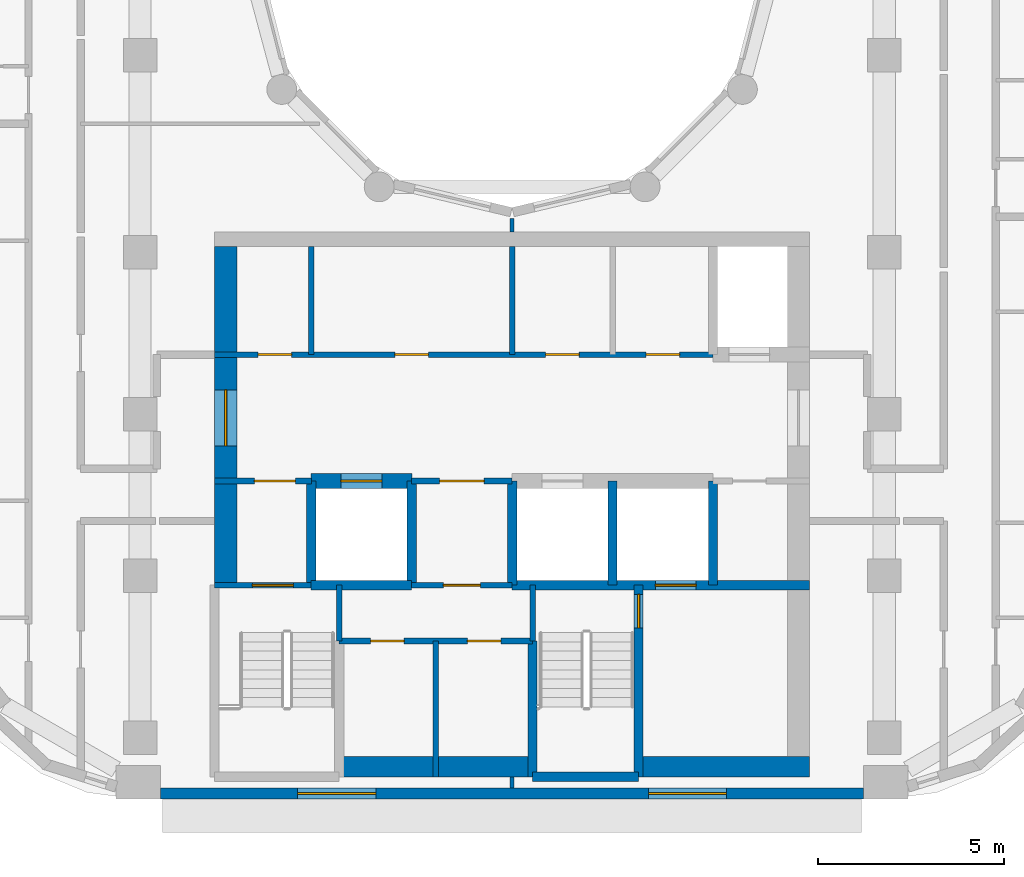
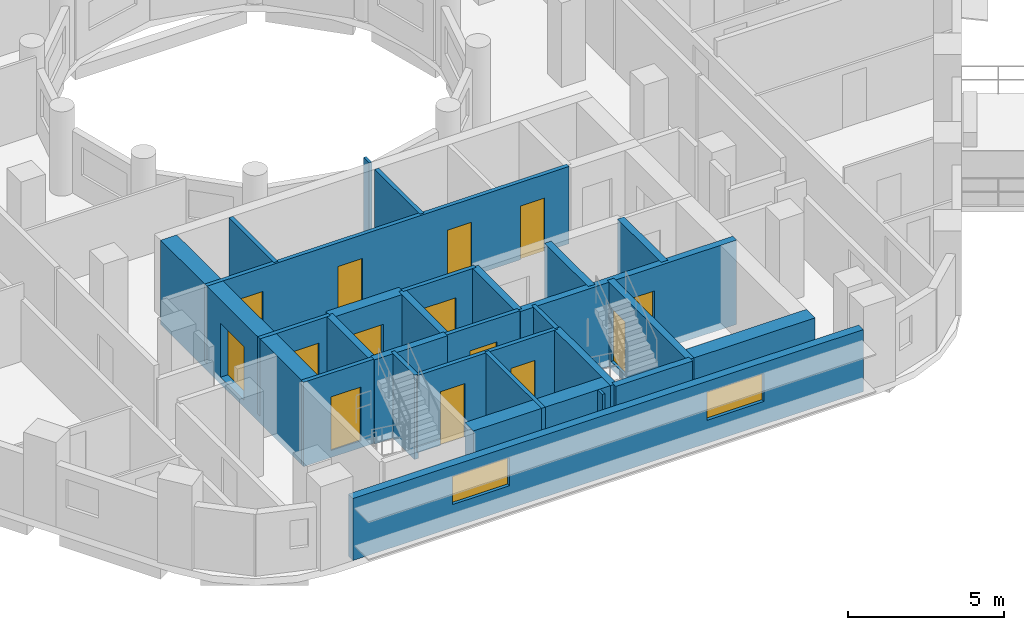
# One storey, part 3 of 16: 28 walls, 14 doors, 2 windows, 16 openings.
"""IFC4 building model written with IfcOpenShell, lengths in metres."""

from ifc_helpers import new_model, si_unit, direction, frame, frame_2d, origin, place, context, subcontext, project, spatial, rectangle, extrude, material, layer, layer_set, type_object, element, fill, save


model = new_model("IFC4")

# Units and contexts
model_context = context("Model", 3, precision=1e-05, world=origin(), true_north=direction((0.0, 1.0)))
body_context = subcontext(model_context, "Body", "Model", "MODEL_VIEW")
ifc_project = project(units=[si_unit("LENGTHUNIT", "METRE"), si_unit("AREAUNIT", "SQUARE_METRE"), si_unit("VOLUMEUNIT", "CUBIC_METRE"), si_unit("PLANEANGLEUNIT", "RADIAN"), si_unit("MASSUNIT", "GRAM", prefix="KILO")], contexts=[model_context])

# Site, building, storey
site_placement = place(None, origin())
site = spatial("IfcSite", under=ifc_project, at=site_placement, CompositionType="ELEMENT")
building_placement = place(site_placement, origin())
building = spatial("IfcBuilding", under=site, at=building_placement, Name="Nakaniwa Court", CompositionType="ELEMENT")
storey_placement = place(building_placement, frame((0.0, 0.0, 193.199951171875)))
storey = spatial("IfcBuildingStorey", under=building, at=storey_placement, Name="L50", CompositionType="ELEMENT", Elevation=193.199951171875)

# Wall, openings, windows
ifc_material_1 = material(Name="Charcoal ceramic cladding")
ifc_layer_1 = layer(ifc_material_1, 0.02, Name="Ceramic cladding")
ifc_material_2 = material(Name="Ventilated air cavity")
ifc_layer_2 = layer(ifc_material_2, 0.04, ventilated=True, Name="Ventilated cavity")
ifc_material_3 = material(Name="Mineral wool insulation")
ifc_layer_3 = layer(ifc_material_3, 0.1, Name="Insulation")
ifc_material_4 = material(Name="Cement bonded sheathing board")
ifc_layer_4 = layer(ifc_material_4, 0.012, Name="Sheathing")
ifc_material_5 = material(Name="Cold-formed galvanised stud frame with mineral wool infill")
ifc_layer_5 = layer(ifc_material_5, 0.1, Name="Stud frame")
ifc_material_6 = material(Name="Fire-rated gypsum plasterboard lining")
ifc_layer_6 = layer(ifc_material_6, 0.028, Name="Lining")
ifc_layer_set_1 = layer_set([ifc_layer_1, ifc_layer_2, ifc_layer_3, ifc_layer_4, ifc_layer_5, ifc_layer_6], Name="Charcoal ceramic faced external wall system")
wall_type_1 = type_object("IfcWallType", Name="Black ceramic faced external wall 300", PredefinedType="SOLIDWALL", material=ifc_layer_set_1)
wall_1_placement = place(storey_placement, frame((70.55078125, 57.5, 0.0), z_axis=(0.0, 0.0, 1.0), x_axis=(1.0, 0.0, 0.0)))
wall_1 = element("IfcWall", 1, at=wall_1_placement, inside=storey, type_object=wall_type_1, Name="L50 external wall 26", PredefinedType="SOLIDWALL", context=body_context, shape_type="SweptSolid", body=[
    extrude(rectangle(XDim=18.892822265625, YDim=0.300048828125, at=frame_2d((9.4462890625, 0.0))), origin(), (0.0, 0.0, 1.0), 2.425048828125),
])
opening_1_placement = place(wall_1_placement, frame((3.6865234375, 0.0, 0.89990234375)))
opening_1 = element("IfcOpeningElement", 2, at=opening_1_placement, cuts=wall_1, Name="Opening W7.26", PredefinedType="OPENING", context=body_context, shape_type="SweptSolid", body=[
    extrude(rectangle(XDim=2.10009765625, YDim=1.10009765625, at=frame_2d((1.050048828125, 0.550048828125))), frame((0.0, 0.159912109375, 0.0), z_axis=(0.0, -1.0, 0.0), x_axis=(1.0, 0.0, 0.0)), (0.0, 0.0, 1.0), 0.320068359375),
])
opening_2_placement = place(wall_1_placement, frame((13.10888671875, 0.0, 0.89990234375)))
opening_2 = element("IfcOpeningElement", 3, at=opening_2_placement, cuts=wall_1, Name="Opening W7.27", PredefinedType="OPENING", context=body_context, shape_type="SweptSolid", body=[
    extrude(rectangle(XDim=2.10009765625, YDim=1.10009765625, at=frame_2d((1.050048828125, 0.550048828125))), frame((0.0, 0.159912109375, 0.0), z_axis=(0.0, -1.0, 0.0), x_axis=(1.0, 0.0, 0.0)), (0.0, 0.0, 1.0), 0.320068359375),
])
ifc_material_7 = material(Name="Black anodised aluminium frame with dark low-E laminated double glazing", Category="aluminium")
window_type = type_object("IfcWindowType", Name="Dark glass window 2100x1100 sill 900", PartitioningType="SINGLE_PANEL", PredefinedType="WINDOW", material=ifc_material_7)
window_1_placement = place(opening_1_placement, origin())
window_1 = element("IfcWindow", 4, at=window_1_placement, inside=storey, type_object=window_type, Name="L50 habitable room window 26-0", OverallHeight=1.10009765625, OverallWidth=2.10009765625, PartitioningType="SINGLE_PANEL", PredefinedType="WINDOW", context=body_context, shape_type="SweptSolid", body=[
    extrude(rectangle(XDim=2.10009765625, YDim=1.10009765625, at=frame_2d((1.050048828125, 0.550048828125))), frame((0.0, 0.030029296875, 0.0), z_axis=(0.0, -1.0, 0.0), x_axis=(1.0, 0.0, 0.0)), (0.0, 0.0, 1.0), 0.06005859375),
])
fill(opening_1, window_1)
window_2_placement = place(opening_2_placement, origin())
window_2 = element("IfcWindow", 5, at=window_2_placement, inside=storey, type_object=window_type, Name="L50 habitable room window 26-1", OverallHeight=1.10009765625, OverallWidth=2.10009765625, PartitioningType="SINGLE_PANEL", PredefinedType="WINDOW", context=body_context, shape_type="SweptSolid", body=[
    extrude(rectangle(XDim=2.10009765625, YDim=1.10009765625, at=frame_2d((1.050048828125, 0.550048828125))), frame((0.0, 0.030029296875, 0.0), z_axis=(0.0, -1.0, 0.0), x_axis=(1.0, 0.0, 0.0)), (0.0, 0.0, 1.0), 0.06005859375),
])
fill(opening_2, window_2)

# Wall
ifc_material_8 = material(Name="Blockwork partition", Category="masonry")
ifc_layer_7 = layer(ifc_material_8, 0.14990234375)
ifc_layer_set_2 = layer_set([ifc_layer_7], Name="Blockwork partition")
wall_type_2 = type_object("IfcWallType", Name="Blockwork partition 150", PredefinedType="PARTITIONING", material=ifc_layer_set_2)
wall_2_placement = place(storey_placement, frame((74.60009765625, 69.300048828125, 0.0), z_axis=(0.0, 0.0, 1.0), x_axis=(0.0, 1.0, 0.0)))
element("IfcWall", 6, at=wall_2_placement, inside=storey, type_object=wall_type_2, Name="Partition PW-035", PredefinedType="PARTITIONING", context=body_context, shape_type="SweptSolid", body=[
    extrude(rectangle(XDim=2.89990234375, YDim=0.14990234375, at=frame_2d((1.449951171875, 0.0))), origin(), (0.0, 0.0, 1.0), 3.025146484375),
])

# Wall, openings, doors
wall_3_placement = place(storey_placement, frame((72.0, 69.300048828125, 0.0), z_axis=(0.0, 0.0, 1.0), x_axis=(1.0, 0.0, 0.0)))
wall_3 = element("IfcWall", 7, at=wall_3_placement, inside=storey, type_object=wall_type_2, Name="Partition PW-036", PredefinedType="PARTITIONING", context=body_context, shape_type="SweptSolid", body=[
    extrude(rectangle(XDim=13.39990234375, YDim=0.14990234375, at=frame_2d((6.699951171875, 0.0))), origin(), (0.0, 0.0, 1.0), 3.025146484375),
])
opening_3_placement = place(wall_3_placement, frame((1.175048828125, 0.0, 0.0)))
opening_3 = element("IfcOpeningElement", 8, at=opening_3_placement, cuts=wall_3, Name="Opening D-05-08", PredefinedType="OPENING", context=body_context, shape_type="SweptSolid", body=[
    extrude(rectangle(XDim=0.89990234375, YDim=2.10009765625, at=frame_2d((0.449951171875, 1.050048828125))), frame((0.0, 0.0849609375, 0.0), z_axis=(0.0, -1.0, 0.0), x_axis=(1.0, 0.0, 0.0)), (0.0, 0.0, 1.0), 0.169921875),
])
opening_4_placement = place(wall_3_placement, frame((4.85009765625, 0.0, 0.0)))
opening_4 = element("IfcOpeningElement", 9, at=opening_4_placement, cuts=wall_3, Name="Opening D-05-09", PredefinedType="OPENING", context=body_context, shape_type="SweptSolid", body=[
    extrude(rectangle(XDim=0.89990234375, YDim=2.10009765625, at=frame_2d((0.449951171875, 1.050048828125))), frame((0.0, 0.0849609375, 0.0), z_axis=(0.0, -1.0, 0.0), x_axis=(1.0, 0.0, 0.0)), (0.0, 0.0, 1.0), 0.169921875),
])
opening_5_placement = place(wall_3_placement, frame((8.89990234375, 0.0, 0.0)))
opening_5 = element("IfcOpeningElement", 10, at=opening_5_placement, cuts=wall_3, Name="Opening D-05-10", PredefinedType="OPENING", context=body_context, shape_type="SweptSolid", body=[
    extrude(rectangle(XDim=0.89990234375, YDim=2.10009765625, at=frame_2d((0.449951171875, 1.050048828125))), frame((0.0, 0.0849609375, 0.0), z_axis=(0.0, -1.0, 0.0), x_axis=(1.0, 0.0, 0.0)), (0.0, 0.0, 1.0), 0.169921875),
])
opening_6_placement = place(wall_3_placement, frame((11.60009765625, 0.0, 0.0)))
opening_6 = element("IfcOpeningElement", 11, at=opening_6_placement, cuts=wall_3, Name="Opening D-05-11", PredefinedType="OPENING", context=body_context, shape_type="SweptSolid", body=[
    extrude(rectangle(XDim=0.89990234375, YDim=2.10009765625, at=frame_2d((0.449951171875, 1.050048828125))), frame((0.0, 0.0849609375, 0.0), z_axis=(0.0, -1.0, 0.0), x_axis=(1.0, 0.0, 0.0)), (0.0, 0.0, 1.0), 0.169921875),
])
ifc_material_9 = material(Name="Fire rated steel door set", Category="steel")
door_type_1 = type_object("IfcDoorType", Name="Service room door 900", OperationType="NOTDEFINED", PredefinedType="DOOR", material=ifc_material_9)
door_1_placement = place(opening_3_placement, origin())
door_1 = element("IfcDoor", 12, at=door_1_placement, inside=storey, type_object=door_type_1, Name="Door D-05-08 L50-013", OperationType="SINGLE_SWING_RIGHT", OverallHeight=2.10009765625, OverallWidth=0.89990234375, PredefinedType="DOOR", context=body_context, shape_type="SweptSolid", body=[
    extrude(rectangle(XDim=0.89990234375, YDim=2.10009765625, at=frame_2d((0.449951171875, 1.050048828125))), frame((0.0, 0.02490234375, 0.0), z_axis=(0.0, -1.0, 0.0), x_axis=(1.0, 0.0, 0.0)), (0.0, 0.0, 1.0), 0.050048828125),
])
fill(opening_3, door_1)
door_2_placement = place(opening_4_placement, origin())
door_2 = element("IfcDoor", 13, at=door_2_placement, inside=storey, type_object=door_type_1, Name="Door D-05-09 L50-014", OperationType="SINGLE_SWING_LEFT", OverallHeight=2.10009765625, OverallWidth=0.89990234375, PredefinedType="DOOR", context=body_context, shape_type="SweptSolid", body=[
    extrude(rectangle(XDim=0.89990234375, YDim=2.10009765625, at=frame_2d((0.449951171875, 1.050048828125))), frame((0.0, 0.02490234375, 0.0), z_axis=(0.0, -1.0, 0.0), x_axis=(1.0, 0.0, 0.0)), (0.0, 0.0, 1.0), 0.050048828125),
])
fill(opening_4, door_2)
door_3_placement = place(opening_5_placement, origin())
door_3 = element("IfcDoor", 14, at=door_3_placement, inside=storey, type_object=door_type_1, Name="Door D-05-10 L50-015", OperationType="SINGLE_SWING_RIGHT", OverallHeight=2.10009765625, OverallWidth=0.89990234375, PredefinedType="DOOR", context=body_context, shape_type="SweptSolid", body=[
    extrude(rectangle(XDim=0.89990234375, YDim=2.10009765625, at=frame_2d((0.449951171875, 1.050048828125))), frame((0.0, 0.02490234375, 0.0), z_axis=(0.0, -1.0, 0.0), x_axis=(1.0, 0.0, 0.0)), (0.0, 0.0, 1.0), 0.050048828125),
])
fill(opening_5, door_3)
door_4_placement = place(opening_6_placement, origin())
door_4 = element("IfcDoor", 15, at=door_4_placement, inside=storey, type_object=door_type_1, Name="Door D-05-11 L50-016", OperationType="SINGLE_SWING_LEFT", OverallHeight=2.10009765625, OverallWidth=0.89990234375, PredefinedType="DOOR", context=body_context, shape_type="SweptSolid", body=[
    extrude(rectangle(XDim=0.89990234375, YDim=2.10009765625, at=frame_2d((0.449951171875, 1.050048828125))), frame((0.0, 0.02490234375, 0.0), z_axis=(0.0, -1.0, 0.0), x_axis=(1.0, 0.0, 0.0)), (0.0, 0.0, 1.0), 0.050048828125),
])
fill(opening_6, door_4)

# Wall
wall_4_placement = place(storey_placement, frame((80.0, 69.300048828125, 0.0), z_axis=(0.0, 0.0, 1.0), x_axis=(0.0, 1.0, 0.0)))
element("IfcWall", 16, at=wall_4_placement, inside=storey, type_object=wall_type_2, Name="Partition PW-042", PredefinedType="PARTITIONING", context=body_context, shape_type="SweptSolid", body=[
    extrude(rectangle(XDim=2.89990234375, YDim=0.14990234375, at=frame_2d((1.449951171875, 0.0))), origin(), (0.0, 0.0, 1.0), 3.025146484375),
])

# Wall, opening, door
wall_5_placement = place(storey_placement, frame((74.60302734375, 65.89990234375, 0.0), z_axis=(0.0, 0.0, 1.0), x_axis=(-1.0, 0.0, 0.0)))
wall_5 = element("IfcWall", 17, at=wall_5_placement, inside=storey, type_object=wall_type_2, Name="Partition PW-044", PredefinedType="PARTITIONING", context=body_context, shape_type="SweptSolid", body=[
    extrude(rectangle(XDim=2.60302734375, YDim=0.14990234375, at=frame_2d((1.301513671875, 0.0))), origin(), (0.0, 0.0, 1.0), 3.025146484375),
])
opening_7_placement = place(wall_5_placement, frame((0.427978515625, 0.0, 0.0)))
opening_7 = element("IfcOpeningElement", 18, at=opening_7_placement, cuts=wall_5, Name="Opening D-08-02", PredefinedType="OPENING", context=body_context, shape_type="SweptSolid", body=[
    extrude(rectangle(XDim=1.10009765625, YDim=2.10009765625, at=frame_2d((0.550048828125, 1.050048828125))), frame((0.0, 0.0849609375, 0.0), z_axis=(0.0, -1.0, 0.0), x_axis=(1.0, 0.0, 0.0)), (0.0, 0.0, 1.0), 0.169921875),
])
door_type_2 = type_object("IfcDoorType", Name="Stair lobby door 1100", OperationType="NOTDEFINED", PredefinedType="DOOR", material=ifc_material_9)
door_5_placement = place(opening_7_placement, origin())
door_5 = element("IfcDoor", 19, at=door_5_placement, inside=storey, type_object=door_type_2, Name="Door D-08-02 L50-017", OperationType="SINGLE_SWING_RIGHT", OverallHeight=2.10009765625, OverallWidth=1.10009765625, PredefinedType="DOOR", context=body_context, shape_type="SweptSolid", body=[
    extrude(rectangle(XDim=1.10009765625, YDim=2.10009765625, at=frame_2d((0.550048828125, 1.050048828125))), frame((0.0, 0.02490234375, 0.0), z_axis=(0.0, -1.0, 0.0), x_axis=(1.0, 0.0, 0.0)), (0.0, 0.0, 1.0), 0.050048828125),
])
fill(opening_7, door_5)

wall_6_placement = place(storey_placement, frame((80.0029296875, 65.89990234375, 0.0), z_axis=(0.0, 0.0, 1.0), x_axis=(-1.0, 0.0, 0.0)))
wall_6 = element("IfcWall", 20, at=wall_6_placement, inside=storey, type_object=wall_type_2, Name="Partition PW-045", PredefinedType="PARTITIONING", context=body_context, shape_type="SweptSolid", body=[
    extrude(rectangle(XDim=2.705810546875, YDim=0.14990234375, at=frame_2d((1.35302734375, 0.0))), origin(), (0.0, 0.0, 1.0), 3.025146484375),
])
opening_8_placement = place(wall_6_placement, frame((0.7529296875, 0.0, 0.0)))
opening_8 = element("IfcOpeningElement", 21, at=opening_8_placement, cuts=wall_6, Name="Opening D-06-02", PredefinedType="OPENING", context=body_context, shape_type="SweptSolid", body=[
    extrude(rectangle(XDim=1.199951171875, YDim=2.10009765625, at=frame_2d((0.60009765625, 1.050048828125))), frame((0.0, 0.0849609375, 0.0), z_axis=(0.0, -1.0, 0.0), x_axis=(1.0, 0.0, 0.0)), (0.0, 0.0, 1.0), 0.169921875),
])
ifc_material_10 = material(Name="Fire rated steel double door set", Category="steel")
door_type_3 = type_object("IfcDoorType", Name="Service passage double door 1200", OperationType="NOTDEFINED", PredefinedType="DOOR", material=ifc_material_10)
door_6_placement = place(opening_8_placement, origin())
door_6 = element("IfcDoor", 22, at=door_6_placement, inside=storey, type_object=door_type_3, Name="Door D-06-02 L50-018", OperationType="DOUBLE_DOOR_SINGLE_SWING", OverallHeight=2.10009765625, OverallWidth=1.199951171875, PredefinedType="DOOR", context=body_context, shape_type="SweptSolid", body=[
    extrude(rectangle(XDim=1.199951171875, YDim=2.10009765625, at=frame_2d((0.60009765625, 1.050048828125))), frame((0.0, 0.02490234375, 0.0), z_axis=(0.0, -1.0, 0.0), x_axis=(1.0, 0.0, 0.0)), (0.0, 0.0, 1.0), 0.050048828125),
])
fill(opening_8, door_6)

wall_7_placement = place(storey_placement, frame((80.0, 63.10009765625, 0.0), z_axis=(0.0, 0.0, 1.0), x_axis=(-1.0, 0.0, 0.0)))
wall_7 = element("IfcWall", 23, at=wall_7_placement, inside=storey, type_object=wall_type_2, Name="Partition PW-055", PredefinedType="PARTITIONING", context=body_context, shape_type="SweptSolid", body=[
    extrude(rectangle(XDim=2.699951171875, YDim=0.14990234375, at=frame_2d((1.35009765625, 0.0))), origin(), (0.0, 0.0, 1.0), 3.025146484375),
])
opening_9_placement = place(wall_7_placement, frame((0.85009765625, 0.0, 0.0)))
opening_9 = element("IfcOpeningElement", 24, at=opening_9_placement, cuts=wall_7, Name="Opening D-23-02", PredefinedType="OPENING", context=body_context, shape_type="SweptSolid", body=[
    extrude(rectangle(XDim=1.0, YDim=2.10009765625, at=frame_2d((0.5, 1.050048828125))), frame((0.0, 0.0849609375, 0.0), z_axis=(0.0, -1.0, 0.0), x_axis=(1.0, 0.0, 0.0)), (0.0, 0.0, 1.0), 0.169921875),
])
door_type_4 = type_object("IfcDoorType", Name="Service room door 1000", OperationType="NOTDEFINED", PredefinedType="DOOR", material=ifc_material_9)
door_7_placement = place(opening_9_placement, origin())
door_7 = element("IfcDoor", 25, at=door_7_placement, inside=storey, type_object=door_type_4, Name="Door D-23-02 L50-020", OperationType="SINGLE_SWING_LEFT", OverallHeight=2.10009765625, OverallWidth=1.0, PredefinedType="DOOR", context=body_context, shape_type="SweptSolid", body=[
    extrude(rectangle(XDim=1.0, YDim=2.10009765625, at=frame_2d((0.5, 1.050048828125))), frame((0.0, 0.02490234375, 0.0), z_axis=(0.0, -1.0, 0.0), x_axis=(1.0, 0.0, 0.0)), (0.0, 0.0, 1.0), 0.050048828125),
])
fill(opening_9, door_7)

# Wall, openings, doors
wall_8_placement = place(storey_placement, frame((80.550048828125, 61.60009765625, 0.0), z_axis=(0.0, 0.0, 1.0), x_axis=(-1.0, 0.0, 0.0)))
wall_8 = element("IfcWall", 26, at=wall_8_placement, inside=storey, type_object=wall_type_2, Name="Partition PW-067", PredefinedType="PARTITIONING", context=body_context, shape_type="SweptSolid", body=[
    extrude(rectangle(XDim=5.199951171875, YDim=0.14990234375, at=frame_2d((2.60009765625, 0.0))), origin(), (0.0, 0.0, 1.0), 3.025146484375),
])
opening_10_placement = place(wall_8_placement, frame((3.449951171875, 0.0, 0.0)))
opening_10 = element("IfcOpeningElement", 27, at=opening_10_placement, cuts=wall_8, Name="Opening D-05-13", PredefinedType="OPENING", context=body_context, shape_type="SweptSolid", body=[
    extrude(rectangle(XDim=0.89990234375, YDim=2.10009765625, at=frame_2d((0.449951171875, 1.050048828125))), frame((0.0, 0.0849609375, 0.0), z_axis=(0.0, -1.0, 0.0), x_axis=(1.0, 0.0, 0.0)), (0.0, 0.0, 1.0), 0.169921875),
])
opening_11_placement = place(wall_8_placement, frame((0.85009765625, 0.0, 0.0)))
opening_11 = element("IfcOpeningElement", 28, at=opening_11_placement, cuts=wall_8, Name="Opening D-05-14", PredefinedType="OPENING", context=body_context, shape_type="SweptSolid", body=[
    extrude(rectangle(XDim=0.89990234375, YDim=2.10009765625, at=frame_2d((0.449951171875, 1.050048828125))), frame((0.0, 0.0849609375, 0.0), z_axis=(0.0, -1.0, 0.0), x_axis=(1.0, 0.0, 0.0)), (0.0, 0.0, 1.0), 0.169921875),
])
door_8_placement = place(opening_10_placement, origin())
door_8 = element("IfcDoor", 29, at=door_8_placement, inside=storey, type_object=door_type_1, Name="Door D-05-13 L50-021", OperationType="SINGLE_SWING_RIGHT", OverallHeight=2.10009765625, OverallWidth=0.89990234375, PredefinedType="DOOR", context=body_context, shape_type="SweptSolid", body=[
    extrude(rectangle(XDim=0.89990234375, YDim=2.10009765625, at=frame_2d((0.449951171875, 1.050048828125))), frame((0.0, 0.02490234375, 0.0), z_axis=(0.0, -1.0, 0.0), x_axis=(1.0, 0.0, 0.0)), (0.0, 0.0, 1.0), 0.050048828125),
])
fill(opening_10, door_8)
door_9_placement = place(opening_11_placement, origin())
door_9 = element("IfcDoor", 30, at=door_9_placement, inside=storey, type_object=door_type_1, Name="Door D-05-14 L50-022", OperationType="SINGLE_SWING_LEFT", OverallHeight=2.10009765625, OverallWidth=0.89990234375, PredefinedType="DOOR", context=body_context, shape_type="SweptSolid", body=[
    extrude(rectangle(XDim=0.89990234375, YDim=2.10009765625, at=frame_2d((0.449951171875, 1.050048828125))), frame((0.0, 0.02490234375, 0.0), z_axis=(0.0, -1.0, 0.0), x_axis=(1.0, 0.0, 0.0)), (0.0, 0.0, 1.0), 0.050048828125),
])
fill(opening_11, door_9)

# Wall
wall_9_placement = place(storey_placement, frame((77.949951171875, 57.949951171875, 0.0), z_axis=(0.0, 0.0, 1.0), x_axis=(0.0, 1.0, 0.0)))
element("IfcWall", 31, at=wall_9_placement, inside=storey, type_object=wall_type_2, Name="Partition PW-068", PredefinedType="PARTITIONING", context=body_context, shape_type="SweptSolid", body=[
    extrude(rectangle(XDim=3.650146484375, YDim=0.14990234375, at=frame_2d((1.8251953125, 0.0))), origin(), (0.0, 0.0, 1.0), 3.025146484375),
])

# Wall, opening, door
ifc_material_11 = material(Name="Concrete C80/100", Category="concrete")
ifc_layer_8 = layer(ifc_material_11, 0.60009765625)
ifc_layer_set_3 = layer_set([ifc_layer_8], Name="Concrete C80/100")
wall_type_3 = type_object("IfcWallType", Name="Concrete core side wall 600 C80", PredefinedType="SHEAR", material=ifc_layer_set_3)
wall_10_placement = place(storey_placement, frame((72.300048828125, 63.10009765625, -0.27490234375), z_axis=(0.0, 0.0, 1.0), x_axis=(0.0, 1.0, 0.0)))
wall_10 = element("IfcWall", 32, at=wall_10_placement, inside=storey, type_object=wall_type_3, Name="Core wall SW-37", PredefinedType="SHEAR", context=body_context, shape_type="SweptSolid", body=[
    extrude(rectangle(XDim=9.099853515625, YDim=0.60009765625, at=frame_2d((4.5498046875, 0.0))), origin(), (0.0, 0.0, 1.0), 3.300048828125),
])
opening_12_placement = place(wall_10_placement, frame((3.748046875, 0.0, 0.27490234375)))
opening_12 = element("IfcOpeningElement", 33, at=opening_12_placement, cuts=wall_10, Name="Opening D-07-04", PredefinedType="OPENING", context=body_context, shape_type="SweptSolid", body=[
    extrude(rectangle(XDim=1.5, YDim=2.10009765625, at=frame_2d((0.75, 1.050048828125))), frame((0.0, 0.31005859375, 0.0), z_axis=(0.0, -1.0, 0.0), x_axis=(1.0, 0.0, 0.0)), (0.0, 0.0, 1.0), 0.6201171875),
])
ifc_material_12 = material(Name="Glazed fire rated steel double door set", Category="steel")
door_type_5 = type_object("IfcDoorType", Name="Lobby double door 1500", OperationType="NOTDEFINED", PredefinedType="DOOR", material=ifc_material_12)
door_10_placement = place(opening_12_placement, origin())
door_10 = element("IfcDoor", 34, at=door_10_placement, inside=storey, type_object=door_type_5, Name="Door D-07-04 L50-062", OperationType="DOUBLE_DOOR_SINGLE_SWING", OverallHeight=2.10009765625, OverallWidth=1.5, PredefinedType="DOOR", context=body_context, shape_type="SweptSolid", body=[
    extrude(rectangle(XDim=1.5, YDim=2.10009765625, at=frame_2d((0.75, 1.050048828125))), frame((0.0, 0.02490234375, 0.0), z_axis=(0.0, -1.0, 0.0), x_axis=(1.0, 0.0, 0.0)), (0.0, 0.0, 1.0), 0.050048828125),
])
fill(opening_12, door_10)

ifc_layer_9 = layer(ifc_material_11, 0.39990234375)
ifc_layer_set_4 = layer_set([ifc_layer_9], Name="Concrete C80/100")
wall_type_4 = type_object("IfcWallType", Name="Concrete core spine wall 400 C80", PredefinedType="SHEAR", material=ifc_layer_set_4)
wall_11_placement = place(storey_placement, frame((74.596923828125, 65.89990234375, -0.27490234375), z_axis=(0.0, 0.0, 1.0), x_axis=(1.0, 0.0, 0.0)))
wall_11 = element("IfcWall", 35, at=wall_11_placement, inside=storey, type_object=wall_type_4, Name="Core wall SW-47", PredefinedType="SHEAR", context=body_context, shape_type="SweptSolid", body=[
    extrude(rectangle(XDim=2.7060546875, YDim=0.39990234375, at=frame_2d((1.35302734375, 0.0))), origin(), (0.0, 0.0, 1.0), 3.300048828125),
])
opening_13_placement = place(wall_11_placement, frame((0.802978515625, 0.0, 0.27490234375)))
opening_13 = element("IfcOpeningElement", 36, at=opening_13_placement, cuts=wall_11, Name="Opening LD06", PredefinedType="OPENING", context=body_context, shape_type="SweptSolid", body=[
    extrude(rectangle(XDim=1.10009765625, YDim=2.10009765625, at=frame_2d((0.550048828125, 1.050048828125))), frame((0.0, 0.2099609375, 0.0), z_axis=(0.0, -1.0, 0.0), x_axis=(1.0, 0.0, 0.0)), (0.0, 0.0, 1.0), 0.419921875),
])
ifc_material_13 = material(Name="Stainless steel sliding lift landing door", Category="steel")
door_type_6 = type_object("IfcDoorType", Name="Lift landing door 1100", OperationType="NOTDEFINED", PredefinedType="DOOR", material=ifc_material_13)
door_11_placement = place(opening_13_placement, origin())
door_11 = element("IfcDoor", 37, at=door_11_placement, inside=storey, type_object=door_type_6, Name="Lift landing door LD06 L50-006", OperationType="SLIDING_TO_LEFT", OverallHeight=2.10009765625, OverallWidth=1.10009765625, PredefinedType="DOOR", context=body_context, shape_type="SweptSolid", body=[
    extrude(rectangle(XDim=1.10009765625, YDim=2.10009765625, at=frame_2d((0.550048828125, 1.050048828125))), frame((0.0, 0.02490234375, 0.0), z_axis=(0.0, -1.0, 0.0), x_axis=(1.0, 0.0, 0.0)), (0.0, 0.0, 1.0), 0.050048828125),
])
fill(opening_13, door_11)

ifc_layer_10 = layer(ifc_material_11, 0.14990234375)
ifc_layer_set_5 = layer_set([ifc_layer_10], Name="Concrete C80/100")
wall_type_5 = type_object("IfcWallType", Name="Concrete core wall 150 C80", PredefinedType="SHEAR", material=ifc_layer_set_5)
wall_12_placement = place(storey_placement, frame((72.0, 63.10009765625, -0.27490234375), z_axis=(0.0, 0.0, 1.0), x_axis=(1.0, 0.0, 0.0)))
wall_12 = element("IfcWall", 38, at=wall_12_placement, inside=storey, type_object=wall_type_5, Name="Core wall SW-50", PredefinedType="SHEAR", context=body_context, shape_type="SweptSolid", body=[
    extrude(rectangle(XDim=2.60009765625, YDim=0.14990234375, at=frame_2d((1.300048828125, 0.0))), origin(), (0.0, 0.0, 1.0), 3.300048828125),
])
opening_14_placement = place(wall_12_placement, frame((1.02001953125, 0.0, 0.27490234375)))
opening_14 = element("IfcOpeningElement", 39, at=opening_14_placement, cuts=wall_12, Name="Opening D-09-02", PredefinedType="OPENING", context=body_context, shape_type="SweptSolid", body=[
    extrude(rectangle(XDim=1.10009765625, YDim=2.10009765625, at=frame_2d((0.550048828125, 1.050048828125))), frame((0.0, 0.0849609375, 0.0), z_axis=(0.0, -1.0, 0.0), x_axis=(1.0, 0.0, 0.0)), (0.0, 0.0, 1.0), 0.169921875),
])
door_type_7 = type_object("IfcDoorType", Name="Stair door 1100", OperationType="NOTDEFINED", PredefinedType="DOOR", material=ifc_material_9)
door_12_placement = place(opening_14_placement, origin())
door_12 = element("IfcDoor", 40, at=door_12_placement, inside=storey, type_object=door_type_7, Name="Door D-09-02 L50-023", OperationType="SINGLE_SWING_LEFT", OverallHeight=2.10009765625, OverallWidth=1.10009765625, PredefinedType="DOOR", context=body_context, shape_type="SweptSolid", body=[
    extrude(rectangle(XDim=1.10009765625, YDim=2.10009765625, at=frame_2d((0.550048828125, 1.050048828125))), frame((0.0, 0.02490234375, 0.0), z_axis=(0.0, -1.0, 0.0), x_axis=(1.0, 0.0, 0.0)), (0.0, 0.0, 1.0), 0.050048828125),
])
fill(opening_14, door_12)

# Walls
for number, where, z_axis, x_axis, name in (
    (41, (75.35009765625, 61.596923828125, -0.27490234375), (0.0, 0.0, 1.0), (0.0, 1.0, 0.0), "Core wall SW-57"),
    (42, (80.550048828125, 61.596923828125, -0.27490234375), (0.0, 0.0, 1.0), (0.0, 1.0, 0.0), "Core wall SW-63"),
):
    element("IfcWall", number, at=place(storey_placement, frame(where, z_axis=z_axis, x_axis=x_axis)), inside=storey, type_object=wall_type_5, Name=name, PredefinedType="SHEAR", context=body_context, shape_type="SweptSolid", body=[
        extrude(rectangle(XDim=1.503173828125, YDim=0.14990234375, at=frame_2d((0.75146484375, 0.0))), origin(), (0.0, 0.0, 1.0), 3.300048828125),
    ])
ifc_layer_11 = layer(ifc_material_11, 0.25)
ifc_layer_set_6 = layer_set([ifc_layer_11], Name="Concrete C80/100")
wall_type_6 = type_object("IfcWallType", Name="Concrete core wall 250 C80", PredefinedType="SHEAR", material=ifc_layer_set_6)
wall_13_placement = place(storey_placement, frame((80.550048828125, 57.949951171875, -0.27490234375), z_axis=(0.0, 0.0, 1.0), x_axis=(1.0, 0.0, 0.0)))
element("IfcWall", 43, at=wall_13_placement, inside=storey, type_object=wall_type_6, Name="Core wall SW-61", PredefinedType="SHEAR", context=body_context, shape_type="SweptSolid", body=[
    extrude(rectangle(XDim=2.849853515625, YDim=0.25, at=frame_2d((1.4248046875, 0.0))), origin(), (0.0, 0.0, 1.0), 3.300048828125),
])
ifc_layer_12 = layer(ifc_material_11, 0.550048828125)
ifc_layer_set_7 = layer_set([ifc_layer_12], Name="Concrete C80/100")
wall_type_7 = type_object("IfcWallType", Name="Concrete core wall 550 C80", PredefinedType="SHEAR", material=ifc_layer_set_7)
wall_14_placement = place(storey_placement, frame((75.35009765625, 58.22509765625, -0.27490234375), z_axis=(0.0, 0.0, 1.0), x_axis=(1.0, 0.0, 0.0)))
element("IfcWall", 44, at=wall_14_placement, inside=storey, type_object=wall_type_7, Name="Core wall SW-65", PredefinedType="SHEAR", context=body_context, shape_type="SweptSolid", body=[
    extrude(rectangle(XDim=5.199951171875, YDim=0.550048828125, at=frame_2d((2.60009765625, 0.0))), origin(), (0.0, 0.0, 1.0), 3.300048828125),
])
wall_15_placement = place(storey_placement, frame((83.39990234375, 58.22509765625, -0.27490234375), z_axis=(0.0, 0.0, 1.0), x_axis=(1.0, 0.0, 0.0)))
element("IfcWall", 45, at=wall_15_placement, inside=storey, type_object=wall_type_7, Name="Core wall SW-66", PredefinedType="SHEAR", context=body_context, shape_type="SweptSolid", body=[
    extrude(rectangle(XDim=4.60009765625, YDim=0.550048828125, at=frame_2d((2.300048828125, 0.0))), origin(), (0.0, 0.0, 1.0), 3.300048828125),
])
ifc_layer_13 = layer(ifc_material_11, 0.25)
ifc_layer_set_8 = layer_set([ifc_layer_13], Name="Concrete C80/100")
wall_type_8 = type_object("IfcWallType", Name="Concrete shaft wall 250 C80", PredefinedType="SHEAR", material=ifc_layer_set_8)
for number, where, z_axis, x_axis, name in (
    (46, (85.39990234375, 63.10009765625, -0.27490234375), (0.0, 0.0, 1.0), (0.0, 1.0, 0.0), "Core wall SW-38"),
    (47, (74.60009765625, 63.10009765625, -0.27490234375), (0.0, 0.0, 1.0), (0.0, 1.0, 0.0), "Core wall SW-49"),
    (48, (77.300048828125, 63.10009765625, -0.27490234375), (0.0, 0.0, 1.0), (0.0, 1.0, 0.0), "Core wall SW-51"),
):
    element("IfcWall", number, at=place(storey_placement, frame(where, z_axis=z_axis, x_axis=x_axis)), inside=storey, type_object=wall_type_8, Name=name, PredefinedType="SHEAR", context=body_context, shape_type="SweptSolid", body=[
        extrude(rectangle(XDim=2.7998046875, YDim=0.25, at=frame_2d((1.39990234375, 0.0))), origin(), (0.0, 0.0, 1.0), 3.300048828125),
    ])
wall_16_placement = place(storey_placement, frame((74.60009765625, 63.10009765625, -0.27490234375), z_axis=(0.0, 0.0, 1.0), x_axis=(1.0, 0.0, 0.0)))
element("IfcWall", 49, at=wall_16_placement, inside=storey, type_object=wall_type_8, Name="Core wall SW-52", PredefinedType="SHEAR", context=body_context, shape_type="SweptSolid", body=[
    extrude(rectangle(XDim=2.699951171875, YDim=0.25, at=frame_2d((1.35009765625, 0.0))), origin(), (0.0, 0.0, 1.0), 3.300048828125),
])

# Wall, opening, door
wall_17_placement = place(storey_placement, frame((80.0, 63.10009765625, -0.27490234375), z_axis=(0.0, 0.0, 1.0), x_axis=(1.0, 0.0, 0.0)))
wall_17 = element("IfcWall", 50, at=wall_17_placement, inside=storey, type_object=wall_type_8, Name="Core wall SW-53", PredefinedType="SHEAR", context=body_context, shape_type="SweptSolid", body=[
    extrude(rectangle(XDim=8.0, YDim=0.25, at=frame_2d((4.0, 0.0))), origin(), (0.0, 0.0, 1.0), 3.300048828125),
])
opening_15_placement = place(wall_17_placement, frame((3.84912109375, 0.0, 0.27490234375)))
opening_15 = element("IfcOpeningElement", 51, at=opening_15_placement, cuts=wall_17, Name="Opening LD08", PredefinedType="OPENING", context=body_context, shape_type="SweptSolid", body=[
    extrude(rectangle(XDim=1.10009765625, YDim=2.10009765625, at=frame_2d((0.550048828125, 1.050048828125))), frame((0.0, 0.135009765625, 0.0), z_axis=(0.0, -1.0, 0.0), x_axis=(1.0, 0.0, 0.0)), (0.0, 0.0, 1.0), 0.27001953125),
])
door_13_placement = place(opening_15_placement, origin())
door_13 = element("IfcDoor", 52, at=door_13_placement, inside=storey, type_object=door_type_6, Name="Lift landing door LD08 L50-008", OperationType="SLIDING_TO_LEFT", OverallHeight=2.10009765625, OverallWidth=1.10009765625, PredefinedType="DOOR", context=body_context, shape_type="SweptSolid", body=[
    extrude(rectangle(XDim=1.10009765625, YDim=2.10009765625, at=frame_2d((0.550048828125, 1.050048828125))), frame((0.0, 0.02490234375, 0.0), z_axis=(0.0, -1.0, 0.0), x_axis=(1.0, 0.0, 0.0)), (0.0, 0.0, 1.0), 0.050048828125),
])
fill(opening_15, door_13)

# Walls
for number, where, z_axis, x_axis, name in (
    (53, (80.0, 63.10009765625, -0.27490234375), (0.0, 0.0, 1.0), (0.0, 1.0, 0.0), "Core wall SW-54"),
    (54, (82.699951171875, 63.10009765625, -0.27490234375), (0.0, 0.0, 1.0), (0.0, 1.0, 0.0), "Core wall SW-56"),
):
    element("IfcWall", number, at=place(storey_placement, frame(where, z_axis=z_axis, x_axis=x_axis)), inside=storey, type_object=wall_type_8, Name=name, PredefinedType="SHEAR", context=body_context, shape_type="SweptSolid", body=[
        extrude(rectangle(XDim=2.7998046875, YDim=0.25, at=frame_2d((1.39990234375, 0.0))), origin(), (0.0, 0.0, 1.0), 3.300048828125),
    ])

# Wall, opening, door
wall_18_placement = place(storey_placement, frame((83.39990234375, 63.10009765625, -0.27490234375), z_axis=(0.0, 0.0, 1.0), x_axis=(0.0, -1.0, 0.0)))
wall_18 = element("IfcWall", 55, at=wall_18_placement, inside=storey, type_object=wall_type_8, Name="Core wall SW-62", PredefinedType="SHEAR", context=body_context, shape_type="SweptSolid", body=[
    extrude(rectangle(XDim=5.150146484375, YDim=0.25, at=frame_2d((2.5751953125, 0.0))), origin(), (0.0, 0.0, 1.0), 3.300048828125),
])
opening_16_placement = place(wall_18_placement, frame((0.25, 0.0, 0.27490234375)))
opening_16 = element("IfcOpeningElement", 56, at=opening_16_placement, cuts=wall_18, Name="Opening D-11-02", PredefinedType="OPENING", context=body_context, shape_type="SweptSolid", body=[
    extrude(rectangle(XDim=0.89990234375, YDim=2.10009765625, at=frame_2d((0.449951171875, 1.050048828125))), frame((0.0, 0.135009765625, 0.0), z_axis=(0.0, -1.0, 0.0), x_axis=(1.0, 0.0, 0.0)), (0.0, 0.0, 1.0), 0.27001953125),
])
door_type_8 = type_object("IfcDoorType", Name="Stair door 900", OperationType="NOTDEFINED", PredefinedType="DOOR", material=ifc_material_9)
door_14_placement = place(opening_16_placement, origin())
door_14 = element("IfcDoor", 57, at=door_14_placement, inside=storey, type_object=door_type_8, Name="Door D-11-02 L50-024", OperationType="SINGLE_SWING_RIGHT", OverallHeight=2.10009765625, OverallWidth=0.89990234375, PredefinedType="DOOR", context=body_context, shape_type="SweptSolid", body=[
    extrude(rectangle(XDim=0.89990234375, YDim=2.10009765625, at=frame_2d((0.449951171875, 1.050048828125))), frame((0.0, 0.02490234375, 0.0), z_axis=(0.0, -1.0, 0.0), x_axis=(1.0, 0.0, 0.0)), (0.0, 0.0, 1.0), 0.050048828125),
])
fill(opening_16, door_14)

# Walls
wall_19_placement = place(storey_placement, frame((80.550048828125, 57.949951171875, -0.27490234375), z_axis=(0.0, 0.0, 1.0), x_axis=(0.0, 1.0, 0.0)))
element("IfcWall", 58, at=wall_19_placement, inside=storey, type_object=wall_type_8, Name="Core wall SW-64", PredefinedType="SHEAR", context=body_context, shape_type="SweptSolid", body=[
    extrude(rectangle(XDim=3.653076171875, YDim=0.25, at=frame_2d((1.82666015625, 0.0))), origin(), (0.0, 0.0, 1.0), 3.300048828125),
])
ifc_material_14 = material(Name="Single stud plasterboard partition")
ifc_layer_14 = layer(ifc_material_14, 0.10009765625)
ifc_layer_set_9 = layer_set([ifc_layer_14], Name="Single stud plasterboard partition")
wall_type_9 = type_object("IfcWallType", Name="Single stud plasterboard partition 100", PredefinedType="PARTITIONING", material=ifc_layer_set_9)
wall_20_placement = place(storey_placement, frame((80.0, 57.64990234375, 0.0), z_axis=(0.0, 0.0, 1.0), x_axis=(0.0, 1.0, 0.0)))
element("IfcWall", 59, at=wall_20_placement, inside=storey, type_object=wall_type_9, Name="Partition PW-107", PredefinedType="PARTITIONING", context=body_context, shape_type="SweptSolid", body=[
    extrude(rectangle(XDim=0.300048828125, YDim=0.10009765625, at=frame_2d((0.14990234375, 0.0))), origin(), (0.0, 0.0, 1.0), 3.025146484375),
])
wall_21_placement = place(storey_placement, frame((80.0, 72.60009765625, 0.0), z_axis=(0.0, 0.0, 1.0), x_axis=(0.0, 1.0, 0.0)))
element("IfcWall", 60, at=wall_21_placement, inside=storey, type_object=wall_type_9, Name="Partition PW-108", PredefinedType="PARTITIONING", context=body_context, shape_type="SweptSolid", body=[
    extrude(rectangle(XDim=0.351806640625, YDim=0.10009765625, at=frame_2d((0.17578125, 0.0))), origin(), (0.0, 0.0, 1.0), 3.025146484375),
])

save(model, "model.ifc")
